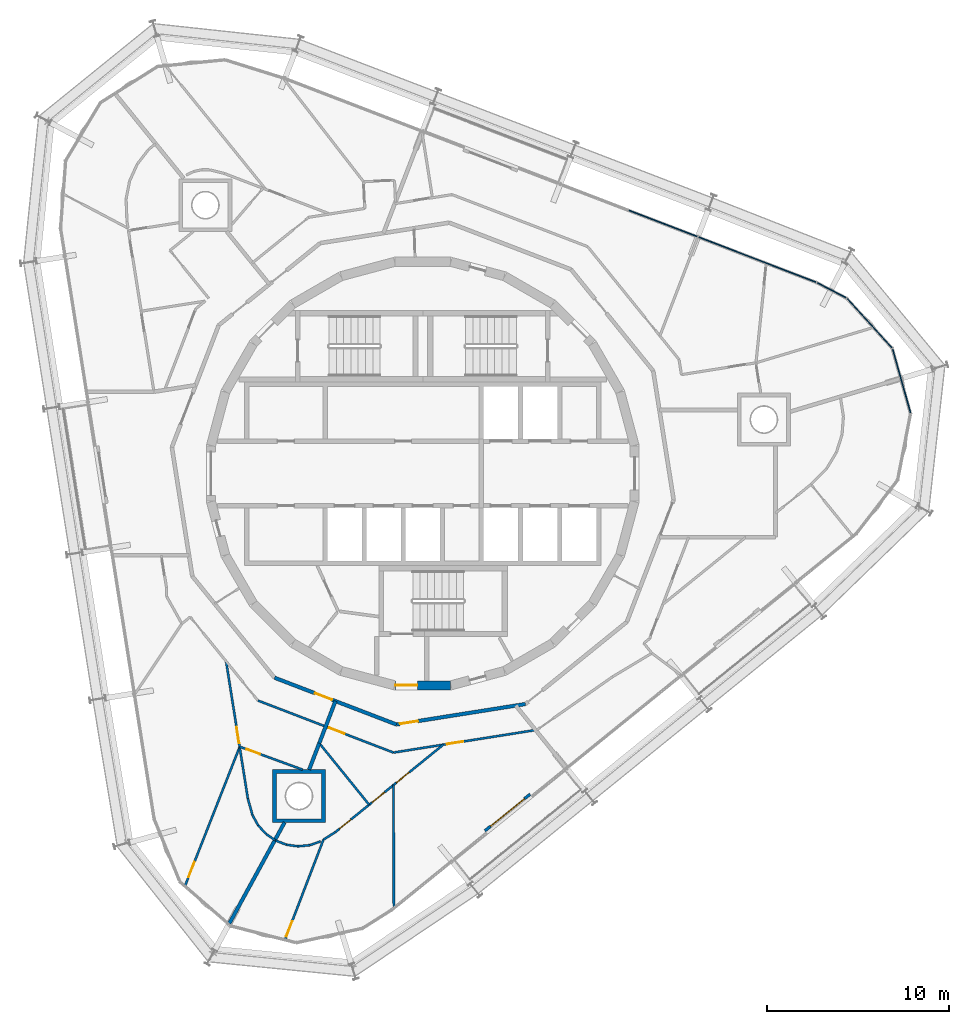
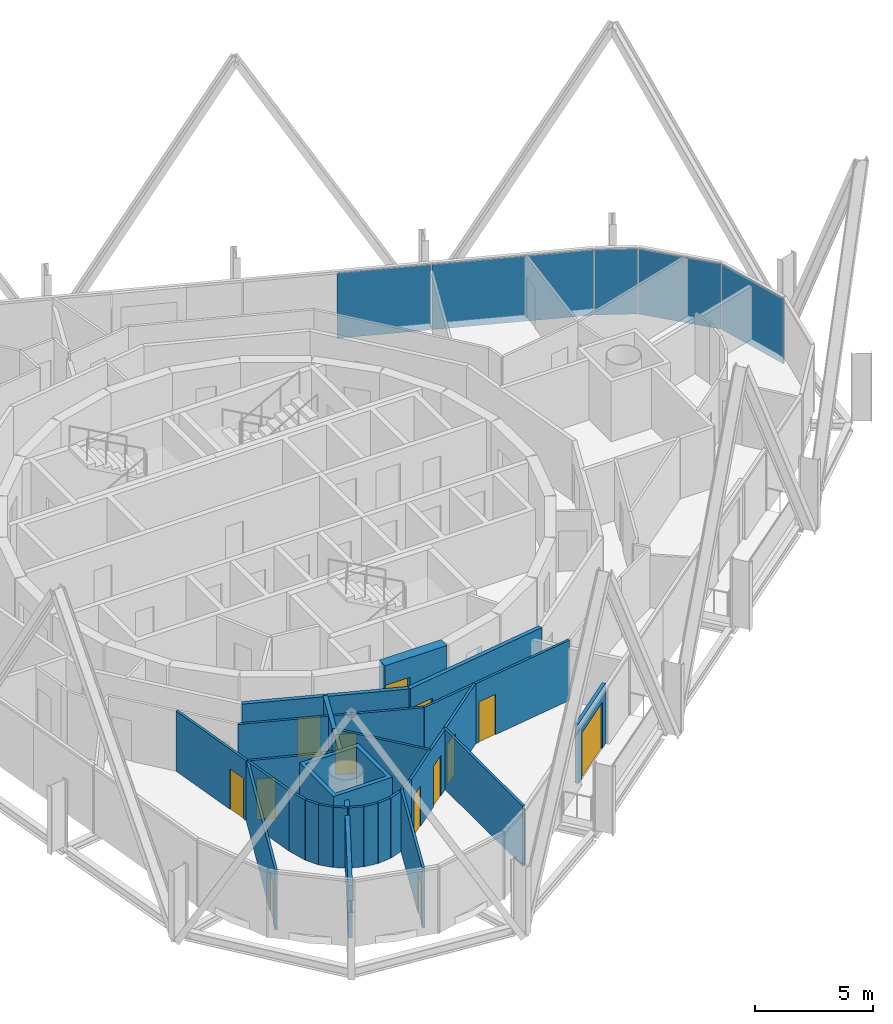
# One storey, part 11 of 18: 26 walls, 13 doors, 5 plates, 13 openings, 2 elements without a shape of their own.
"""IFC4 building model written with IfcOpenShell, lengths in metres."""

from ifc_helpers import new_model, si_unit, direction, frame, frame_2d, origin, origin_2d, place, context, subcontext, project, spatial, polyline, rectangle, outline, extrude, material, layer, layer_set, type_object, element, fill, aggregate, save


model = new_model("IFC4")

# Units and contexts
model_context = context("Model", 3, precision=1e-05, world=origin(), true_north=direction((0.0, 1.0)))
body_context = subcontext(model_context, "Body", "Model", "MODEL_VIEW")
ifc_project = project(units=[si_unit("LENGTHUNIT", "METRE"), si_unit("AREAUNIT", "SQUARE_METRE"), si_unit("VOLUMEUNIT", "CUBIC_METRE"), si_unit("PLANEANGLEUNIT", "RADIAN"), si_unit("MASSUNIT", "GRAM", prefix="KILO")], contexts=[model_context])

# Site, building, storey
site_placement = place(None, origin())
site = spatial("IfcSite", under=ifc_project, at=site_placement, CompositionType="ELEMENT")
building_placement = place(site_placement, origin())
building = spatial("IfcBuilding", under=site, at=building_placement, Name="Spindle Arch Residences", CompositionType="ELEMENT")
storey_placement = place(building_placement, frame((0.0, 0.0, 277.39990234375)))
storey = spatial("IfcBuildingStorey", under=building, at=storey_placement, Name="L71", CompositionType="ELEMENT", Elevation=277.39990234375)

# Curtain wall, plates
ifc_material_1 = material(Name="Aluminium bronze unitised frame with tinted glass", Category="aluminium")
ifc_layer_1 = layer(ifc_material_1, 0.159912109375)
ifc_layer_set_1 = layer_set([ifc_layer_1], Name="CW-D corner wall on the fillet arcs")
curtain_wall_type_1 = type_object("IfcCurtainWallType", Name="CW-D corner wall on the fillet arcs", PredefinedType="NOTDEFINED", material=ifc_layer_set_1)
curtain_wall_1_placement = place(storey_placement, origin())
curtain_wall_1 = element("IfcCurtainWall", 1, at=curtain_wall_1_placement, inside=storey, type_object=curtain_wall_type_1, Name="CW-D L71 run 1", PredefinedType="NOTDEFINED")
ifc_material_2 = material(Name="Tinted double glazing over aluminium faced non-combustible spandrel zone (K0)", Category="aluminium")
ifc_layer_2 = layer(ifc_material_2, 0.06005859375)
ifc_layer_set_2 = layer_set([ifc_layer_2], Name="Unitised glass panel with E 60 spandrel zone")
plate_type = type_object("IfcPlateType", Name="Unitised glass panel with E 60 spandrel zone", PredefinedType="CURTAIN_PANEL", material=ifc_layer_set_2)
plate_1_placement = place(storey_placement, frame((26.32958984375, 5.09423828125, -0.3798828125), z_axis=(0.0, 0.0, 1.0), x_axis=(-0.270040328007, 0.962849012696, 0.0)))
plate_1 = element("IfcPlate", 2, at=plate_1_placement, type_object=plate_type, Name="CW-D unit 03", PredefinedType="CURTAIN_PANEL", context=body_context, shape_type="SweptSolid", body=[
    extrude(rectangle(XDim=3.666748046875, YDim=0.06005859375, at=origin_2d()), origin(), (0.0, 0.0, 1.0), 3.3798828125),
])
plate_2_placement = place(storey_placement, frame((24.571533203125, 8.265869140625, -0.3798828125), z_axis=(0.0, 0.0, 1.0), x_axis=(-0.673442702134, 0.73923942464, 0.0)))
plate_2 = element("IfcPlate", 3, at=plate_2_placement, type_object=plate_type, Name="CW-D unit 04", PredefinedType="CURTAIN_PANEL", context=body_context, shape_type="SweptSolid", body=[
    extrude(rectangle(XDim=3.666748046875, YDim=0.06005859375, at=origin_2d()), origin(), (0.0, 0.0, 1.0), 3.3798828125),
])
plate_3_placement = place(storey_placement, frame((22.48583984375, 10.078857421875, -0.3798828125), z_axis=(0.0, 0.0, 1.0), x_axis=(-0.885663912754, 0.464326860783, 0.0)))
plate_3 = element("IfcPlate", 4, at=plate_3_placement, type_object=plate_type, Name="CW-D unit 05", PredefinedType="CURTAIN_PANEL", context=body_context, shape_type="SweptSolid", body=[
    extrude(rectangle(XDim=1.816162109375, YDim=0.06005859375, at=origin_2d()), origin(), (0.0, 0.0, 1.0), 3.3798828125),
])
plate_4_placement = place(storey_placement, frame((18.392333984375, 11.76708984375, -0.3798828125), z_axis=(0.0, 0.0, 1.0), x_axis=(-0.933580426497, 0.358367949545, 0.0)))
plate_4 = element("IfcPlate", 5, at=plate_4_placement, type_object=plate_type, Name="CW-D unit 06", PredefinedType="CURTAIN_PANEL", context=body_context, shape_type="SweptSolid", body=[
    extrude(rectangle(XDim=6.9296875, YDim=0.06005859375, at=origin_2d()), origin(), (0.0, 0.0, 1.0), 3.3798828125),
])
aggregate(curtain_wall_1, [plate_1, plate_2, plate_3, plate_4])

# Curtain wall, plate
ifc_material_3 = material(Name="Aluminium bronze unitised frame with tinted glass", Category="aluminium")
ifc_layer_3 = layer(ifc_material_3, 0.159912109375)
ifc_layer_set_3 = layer_set([ifc_layer_3], Name="CW-C typical residential unitised wall")
curtain_wall_type_2 = type_object("IfcCurtainWallType", Name="CW-C typical residential unitised wall", PredefinedType="NOTDEFINED", material=ifc_layer_set_3)
curtain_wall_2_placement = place(storey_placement, origin())
curtain_wall_2 = element("IfcCurtainWall", 6, at=curtain_wall_2_placement, inside=storey, type_object=curtain_wall_type_2, Name="CW-C L71 run 2", PredefinedType="NOTDEFINED")
plate_5_placement = place(storey_placement, frame((13.22314453125, 13.751220703125, -0.3798828125), z_axis=(0.0, 0.0, 1.0), x_axis=(-0.933580426497, 0.358367949545, 0.0)))
plate_5 = element("IfcPlate", 7, at=plate_5_placement, type_object=plate_type, Name="CW-C unit 05A", PredefinedType="CURTAIN_PANEL", context=body_context, shape_type="SweptSolid", body=[
    extrude(rectangle(XDim=4.023681640625, YDim=0.06005859375, at=origin_2d()), origin(), (0.0, 0.0, 1.0), 3.3798828125),
])
aggregate(curtain_wall_2, [plate_5])

# Wall, opening, door
ifc_material_4 = material(Name="Concrete C50/60", Category="concrete")
ifc_layer_4 = layer(ifc_material_4, 0.5)
ifc_layer_set_4 = layer_set([ifc_layer_4], Name="Core outline wall 500")
wall_type_1 = type_object("IfcWallType", Name="Core outline wall 500", PredefinedType="SHEAR", material=ifc_layer_set_4)
wall_1_placement = place(storey_placement, frame((-1.516357421875, -11.647216796875, 0.0), z_axis=(0.0, 0.0, 1.0), x_axis=(1.0, 0.0, 0.0)))
wall_1 = element("IfcWall", 8, at=wall_1_placement, inside=storey, type_object=wall_type_1, Name="Core outline wall 24", PredefinedType="SHEAR", context=body_context, shape_type="SweptSolid", body=[
    extrude(rectangle(XDim=3.03271484375, YDim=0.5, at=frame_2d((1.516357421875, 0.0))), origin(), (0.0, 0.0, 1.0), 3.1201171875),
])
opening_1_placement = place(wall_1_placement, frame((0.016357421875, 0.0, 0.0)))
opening_1 = element("IfcOpeningElement", 9, at=opening_1_placement, cuts=wall_1, Name="Opening R7B0-AD03", PredefinedType="OPENING", context=body_context, shape_type="SweptSolid", body=[
    extrude(rectangle(XDim=1.199951171875, YDim=2.10009765625, at=frame_2d((0.60009765625, 1.050048828125))), frame((0.0, 0.260009765625, 0.0), z_axis=(0.0, -1.0, 0.0), x_axis=(1.0, 0.0, 0.0)), (0.0, 0.0, 1.0), 0.52001953125),
])
ifc_material_5 = material(Name="Steel, fire-resisting door", Category="steel")
door_type_1 = type_object("IfcDoorType", Name="Stair airlock door 1200x2100", OperationType="SINGLE_SWING_LEFT", PredefinedType="DOOR", material=ifc_material_5)
door_1_placement = place(opening_1_placement, origin())
door_1 = element("IfcDoor", 10, at=door_1_placement, inside=storey, type_object=door_type_1, Name="Stair airlock door R7B0-AD03", OperationType="SINGLE_SWING_RIGHT", OverallHeight=2.10009765625, OverallWidth=1.199951171875, PredefinedType="DOOR", context=body_context, shape_type="SweptSolid", body=[
    extrude(rectangle(XDim=1.199951171875, YDim=2.10009765625, at=frame_2d((0.60009765625, 1.050048828125))), frame((0.0, 0.02490234375, 0.0), z_axis=(0.0, -1.0, 0.0), x_axis=(1.0, 0.0, 0.0)), (0.0, 0.0, 1.0), 0.050048828125),
])
fill(opening_1, door_1)

ifc_material_6 = material(Name="Calcium silicate block, plastered")
ifc_layer_5 = layer(ifc_material_6, 0.199951171875)
ifc_layer_set_5 = layer_set([ifc_layer_5], Name="Corridor wall 200")
wall_type_2 = type_object("IfcWallType", Name="Corridor wall 200", PredefinedType="STANDARD", material=ifc_layer_set_5)
wall_2_placement = place(storey_placement, frame((-8.154296875, -11.223388671875, 0.0), z_axis=(0.0, 0.0, 1.0), x_axis=(0.93359073609, -0.358341090983, 0.0)))
wall_2 = element("IfcWall", 11, at=wall_2_placement, inside=storey, type_object=wall_type_2, Name="Corridor wall R7B0-W013", PredefinedType="STANDARD", context=body_context, shape_type="SweptSolid", body=[
    extrude(rectangle(XDim=7.180908203125, YDim=0.199951171875, at=frame_2d((3.59033203125, 0.0))), origin(), (0.0, 0.0, 1.0), 3.1201171875),
])
opening_2_placement = place(wall_2_placement, frame((2.390380859375, 0.0, 0.0)))
opening_2 = element("IfcOpeningElement", 12, at=opening_2_placement, cuts=wall_2, Name="Opening R7B0-FD04", PredefinedType="OPENING", context=body_context, shape_type="SweptSolid", body=[
    extrude(rectangle(XDim=1.0, YDim=2.10009765625, at=frame_2d((0.5, 1.050048828125))), frame((0.0, 0.10986328125, 0.0), z_axis=(0.0, -1.0, 0.0), x_axis=(1.0, 0.0, 0.0)), (0.0, 0.0, 1.0), 0.219970703125),
])
ifc_material_7 = material(Name="Timber, fire-resisting door set", Category="wood")
door_type_2 = type_object("IfcDoorType", Name="Flat entrance door 1000x2100", OperationType="NOTDEFINED", PredefinedType="DOOR", material=ifc_material_7)
door_2_placement = place(opening_2_placement, origin())
door_2 = element("IfcDoor", 13, at=door_2_placement, inside=storey, type_object=door_type_2, Name="Flat entrance door R7B0-FD04", OperationType="SINGLE_SWING_RIGHT", OverallHeight=2.10009765625, OverallWidth=1.0, PredefinedType="DOOR", context=body_context, shape_type="SweptSolid", body=[
    extrude(rectangle(XDim=1.0, YDim=2.10009765625, at=frame_2d((0.5, 1.050048828125))), frame((0.0, 0.02490234375, 0.0), z_axis=(0.0, -1.0, 0.0), x_axis=(1.0, 0.0, 0.0)), (0.0, 0.0, 1.0), 0.050048828125),
])
fill(opening_2, door_2)

wall_3_placement = place(storey_placement, frame((-1.4501953125, -13.796630859375, 0.0), z_axis=(0.0, 0.0, 1.0), x_axis=(0.987690361611, 0.156421704315, 0.0)))
wall_3 = element("IfcWall", 14, at=wall_3_placement, inside=storey, type_object=wall_type_2, Name="Corridor wall R7B0-W014", PredefinedType="STANDARD", context=body_context, shape_type="SweptSolid", body=[
    extrude(rectangle(XDim=7.18115234375, YDim=0.199951171875, at=frame_2d((3.590576171875, 0.0))), origin(), (0.0, 0.0, 1.0), 3.1201171875),
])
opening_3_placement = place(wall_3_placement, frame((0.199951171875, 0.0, 0.0)))
opening_3 = element("IfcOpeningElement", 15, at=opening_3_placement, cuts=wall_3, Name="Opening R7B0-FD05", PredefinedType="OPENING", context=body_context, shape_type="SweptSolid", body=[
    extrude(rectangle(XDim=1.0, YDim=2.10009765625, at=frame_2d((0.5, 1.050048828125))), frame((0.0, 0.10986328125, 0.0), z_axis=(0.0, -1.0, 0.0), x_axis=(1.0, 0.0, 0.0)), (0.0, 0.0, 1.0), 0.219970703125),
])
door_3_placement = place(opening_3_placement, origin())
door_3 = element("IfcDoor", 16, at=door_3_placement, inside=storey, type_object=door_type_2, Name="Flat entrance door R7B0-FD05", OperationType="SINGLE_SWING_LEFT", OverallHeight=2.10009765625, OverallWidth=1.0, PredefinedType="DOOR", context=body_context, shape_type="SweptSolid", body=[
    extrude(rectangle(XDim=1.0, YDim=2.10009765625, at=frame_2d((0.5, 1.050048828125))), frame((0.0, 0.02490234375, 0.0), z_axis=(0.0, -1.0, 0.0), x_axis=(1.0, 0.0, 0.0)), (0.0, 0.0, 1.0), 0.050048828125),
])
fill(opening_3, door_3)

ifc_material_8 = material(Name="Plasterboard on steel studs", Category="steel")
ifc_layer_6 = layer(ifc_material_8, 0.1201171875)
ifc_layer_set_6 = layer_set([ifc_layer_6], Name="Flat partition 120")
wall_type_3 = type_object("IfcWallType", Name="Flat partition 120", PredefinedType="PARTITIONING", material=ifc_layer_set_6)
wall_4_placement = place(storey_placement, frame((-9.06689453125, -12.4794921875, 0.0), z_axis=(0.0, 0.0, 1.0), x_axis=(0.933579449035, -0.358370495911, 0.0)))
wall_4 = element("IfcWall", 17, at=wall_4_placement, inside=storey, type_object=wall_type_3, Name="Flat partition R7B0-W073", PredefinedType="PARTITIONING", context=body_context, shape_type="SweptSolid", body=[
    extrude(rectangle(XDim=7.98486328125, YDim=0.1201171875, at=frame_2d((3.992431640625, 0.0))), origin(), (0.0, 0.0, 1.0), 3.1201171875),
])
opening_4_placement = place(wall_4_placement, frame((4.1923828125, 0.0, 0.0)))
opening_4 = element("IfcOpeningElement", 18, at=opening_4_placement, cuts=wall_4, Name="Opening R7B0-ID20", PredefinedType="OPENING", context=body_context, shape_type="SweptSolid", body=[
    extrude(rectangle(XDim=0.89990234375, YDim=2.10009765625, at=frame_2d((0.449951171875, 1.050048828125))), frame((0.0, 0.070068359375, 0.0), z_axis=(0.0, -1.0, 0.0), x_axis=(1.0, 0.0, 0.0)), (0.0, 0.0, 1.0), 0.14013671875),
])
ifc_material_9 = material(Name="Timber door set", Category="wood")
door_type_3 = type_object("IfcDoorType", Name="Room door 900x2100", OperationType="NOTDEFINED", PredefinedType="DOOR", material=ifc_material_9)
door_4_placement = place(opening_4_placement, origin())
door_4 = element("IfcDoor", 19, at=door_4_placement, inside=storey, type_object=door_type_3, Name="Room door R7B0-ID20", OperationType="SINGLE_SWING_RIGHT", OverallHeight=2.10009765625, OverallWidth=0.89990234375, PredefinedType="DOOR", context=body_context, shape_type="SweptSolid", body=[
    extrude(rectangle(XDim=0.89990234375, YDim=2.10009765625, at=frame_2d((0.449951171875, 1.050048828125))), frame((0.0, 0.02490234375, 0.0), z_axis=(0.0, -1.0, 0.0), x_axis=(1.0, 0.0, 0.0)), (0.0, 0.0, 1.0), 0.050048828125),
])
fill(opening_4, door_4)

wall_5_placement = place(storey_placement, frame((-9.619384765625, -17.87060546875, 0.0), z_axis=(0.0, 0.0, 1.0), x_axis=(-0.156433255633, 0.987688532146, 0.0)))
wall_5 = element("IfcWall", 20, at=wall_5_placement, inside=storey, type_object=wall_type_3, Name="Flat partition R7B0-W075", PredefinedType="PARTITIONING", context=body_context, shape_type="SweptSolid", body=[
    extrude(rectangle(XDim=7.64404296875, YDim=0.1201171875, at=frame_2d((3.822021484375, 0.0))), origin(), (0.0, 0.0, 1.0), 3.1201171875),
])
opening_5_placement = place(wall_5_placement, frame((3.08740234375, 0.0, 0.0)))
opening_5 = element("IfcOpeningElement", 21, at=opening_5_placement, cuts=wall_5, Name="Opening R7B0-ID19", PredefinedType="OPENING", context=body_context, shape_type="SweptSolid", body=[
    extrude(rectangle(XDim=0.89990234375, YDim=2.10009765625, at=frame_2d((0.449951171875, 1.050048828125))), frame((0.0, 0.070068359375, 0.0), z_axis=(0.0, -1.0, 0.0), x_axis=(1.0, 0.0, 0.0)), (0.0, 0.0, 1.0), 0.14013671875),
])
door_5_placement = place(opening_5_placement, origin())
door_5 = element("IfcDoor", 22, at=door_5_placement, inside=storey, type_object=door_type_3, Name="Room door R7B0-ID19", OperationType="SINGLE_SWING_LEFT", OverallHeight=2.10009765625, OverallWidth=0.89990234375, PredefinedType="DOOR", context=body_context, shape_type="SweptSolid", body=[
    extrude(rectangle(XDim=0.89990234375, YDim=2.10009765625, at=frame_2d((0.449951171875, 1.050048828125))), frame((0.0, 0.02490234375, 0.0), z_axis=(0.0, -1.0, 0.0), x_axis=(1.0, 0.0, 0.0)), (0.0, 0.0, 1.0), 0.050048828125),
])
fill(opening_5, door_5)

wall_6_placement = place(storey_placement, frame((-13.0673828125, -22.658203125, 0.0), z_axis=(0.0, 0.0, 1.0), x_axis=(0.365785999331, 0.930698986082, 0.0)))
wall_6 = element("IfcWall", 23, at=wall_6_placement, inside=storey, type_object=wall_type_3, Name="Flat partition R7B0-W076", PredefinedType="PARTITIONING", context=body_context, shape_type="SweptSolid", body=[
    extrude(rectangle(XDim=8.1962890625, YDim=0.1201171875, at=frame_2d((4.09814453125, 0.0))), origin(), (0.0, 0.0, 1.0), 3.1201171875),
])
opening_6_placement = place(wall_6_placement, frame((0.5, 0.0, 0.0)))
opening_6 = element("IfcOpeningElement", 24, at=opening_6_placement, cuts=wall_6, Name="Opening R7B0-ID18", PredefinedType="OPENING", context=body_context, shape_type="SweptSolid", body=[
    extrude(rectangle(XDim=0.89990234375, YDim=2.10009765625, at=frame_2d((0.449951171875, 1.050048828125))), frame((0.0, 0.070068359375, 0.0), z_axis=(0.0, -1.0, 0.0), x_axis=(1.0, 0.0, 0.0)), (0.0, 0.0, 1.0), 0.14013671875),
])
door_6_placement = place(opening_6_placement, origin())
door_6 = element("IfcDoor", 25, at=door_6_placement, inside=storey, type_object=door_type_3, Name="Room door R7B0-ID18", OperationType="SINGLE_SWING_RIGHT", OverallHeight=2.10009765625, OverallWidth=0.89990234375, PredefinedType="DOOR", context=body_context, shape_type="SweptSolid", body=[
    extrude(rectangle(XDim=0.89990234375, YDim=2.10009765625, at=frame_2d((0.449951171875, 1.050048828125))), frame((0.0, 0.02490234375, 0.0), z_axis=(0.0, -1.0, 0.0), x_axis=(1.0, 0.0, 0.0)), (0.0, 0.0, 1.0), 0.050048828125),
])
fill(opening_6, door_6)

wall_7_placement = place(storey_placement, frame((-10.0712890625, -15.018798828125, 0.0), z_axis=(0.0, 0.0, 1.0), x_axis=(0.939648507355, -0.34214131967, 0.0)))
wall_7 = element("IfcWall", 26, at=wall_7_placement, inside=storey, type_object=wall_type_3, Name="Flat partition R7B0-W077", PredefinedType="PARTITIONING", context=body_context, shape_type="SweptSolid", body=[
    extrude(rectangle(XDim=3.691162109375, YDim=0.1201171875, at=frame_2d((1.845703125, 0.0))), origin(), (0.0, 0.0, 1.0), 3.1201171875),
])
opening_7_placement = place(wall_7_placement, frame((0.39990234375, 0.0, 0.0)))
opening_7 = element("IfcOpeningElement", 27, at=opening_7_placement, cuts=wall_7, Name="Opening R7B0-BD04", PredefinedType="OPENING", context=body_context, shape_type="SweptSolid", body=[
    extrude(rectangle(XDim=0.800048828125, YDim=2.10009765625, at=frame_2d((0.39990234375, 1.050048828125))), frame((0.0, 0.070068359375, 0.0), z_axis=(0.0, -1.0, 0.0), x_axis=(1.0, 0.0, 0.0)), (0.0, 0.0, 1.0), 0.14013671875),
])
ifc_material_10 = material(Name="Timber door set", Category="wood")
door_type_4 = type_object("IfcDoorType", Name="Bathroom door 800x2100", OperationType="NOTDEFINED", PredefinedType="DOOR", material=ifc_material_10)
door_7_placement = place(opening_7_placement, origin())
door_7 = element("IfcDoor", 28, at=door_7_placement, inside=storey, type_object=door_type_4, Name="Bathroom door R7B0-BD04", OperationType="SINGLE_SWING_RIGHT", OverallHeight=2.10009765625, OverallWidth=0.800048828125, PredefinedType="DOOR", context=body_context, shape_type="SweptSolid", body=[
    extrude(rectangle(XDim=0.800048828125, YDim=2.10009765625, at=frame_2d((0.39990234375, 1.050048828125))), frame((0.0, 0.02490234375, 0.0), z_axis=(0.0, -1.0, 0.0), x_axis=(1.0, 0.0, 0.0)), (0.0, 0.0, 1.0), 0.050048828125),
])
fill(opening_7, door_7)

# Walls
wall_8_placement = place(storey_placement, frame((-8.13037109375, -20.15283203125, 0.0), z_axis=(0.0, 0.0, 1.0), x_axis=(-0.825599905246, 0.564255967145, 0.0)))
element("IfcWall", 29, at=wall_8_placement, inside=storey, type_object=wall_type_3, Name="Flat partition R7B0-W078", PredefinedType="PARTITIONING", context=body_context, shape_type="SweptSolid", body=[
    extrude(rectangle(XDim=0.59326171875, YDim=0.1201171875, at=frame_2d((0.296630859375, 0.0))), origin(), (0.0, 0.0, 1.0), 3.1201171875),
])
for number, where, z_axis, x_axis, name in (
    (30, (-8.6201171875, -19.818115234375, 0.0), (0.0, 0.0, 1.0), (-0.673448438961, 0.739234198385, 0.0), "Flat partition R7B0-W079"),
    (31, (-9.052490234375, -19.343505859375, 0.0), (0.0, 0.0, 1.0), (-0.485126357712, 0.874444061706, 0.0), "Flat partition R7B0-W080"),
):
    element("IfcWall", number, at=place(storey_placement, frame(where, z_axis=z_axis, x_axis=x_axis)), inside=storey, type_object=wall_type_3, Name=name, PredefinedType="PARTITIONING", context=body_context, shape_type="SweptSolid", body=[
        extrude(rectangle(XDim=0.64208984375, YDim=0.1201171875, at=frame_2d((0.321044921875, 0.0))), origin(), (0.0, 0.0, 1.0), 3.1201171875),
    ])
wall_9_placement = place(storey_placement, frame((-9.364013671875, -18.781982421875, 0.0), z_axis=(0.0, 0.0, 1.0), x_axis=(-0.269811707714, 0.962913102196, 0.0)))
element("IfcWall", 32, at=wall_9_placement, inside=storey, type_object=wall_type_3, Name="Flat partition R7B0-W081", PredefinedType="PARTITIONING", context=body_context, shape_type="SweptSolid", body=[
    extrude(rectangle(XDim=0.946533203125, YDim=0.1201171875, at=frame_2d((0.47314453125, 0.0))), origin(), (0.0, 0.0, 1.0), 3.1201171875),
])

# Wall, opening, door
wall_10_placement = place(storey_placement, frame((-1.6123046875, -15.341064453125, 0.0), z_axis=(0.0, 0.0, 1.0), x_axis=(0.987687560018, 0.15643939333, 0.0)))
wall_10 = element("IfcWall", 33, at=wall_10_placement, inside=storey, type_object=wall_type_3, Name="Flat partition R7B0-W082", PredefinedType="PARTITIONING", context=body_context, shape_type="SweptSolid", body=[
    extrude(rectangle(XDim=7.913818359375, YDim=0.1201171875, at=frame_2d((3.95703125, 0.0))), origin(), (0.0, 0.0, 1.0), 3.1201171875),
])
opening_8_placement = place(wall_10_placement, frame((2.97802734375, 0.0, 0.0)))
opening_8 = element("IfcOpeningElement", 34, at=opening_8_placement, cuts=wall_10, Name="Opening R7B0-ID21", PredefinedType="OPENING", context=body_context, shape_type="SweptSolid", body=[
    extrude(rectangle(XDim=0.89990234375, YDim=2.10009765625, at=frame_2d((0.449951171875, 1.050048828125))), frame((0.0, 0.070068359375, 0.0), z_axis=(0.0, -1.0, 0.0), x_axis=(1.0, 0.0, 0.0)), (0.0, 0.0, 1.0), 0.14013671875),
])
door_8_placement = place(opening_8_placement, origin())
door_8 = element("IfcDoor", 35, at=door_8_placement, inside=storey, type_object=door_type_3, Name="Room door R7B0-ID21", OperationType="SINGLE_SWING_LEFT", OverallHeight=2.10009765625, OverallWidth=0.89990234375, PredefinedType="DOOR", context=body_context, shape_type="SweptSolid", body=[
    extrude(rectangle(XDim=0.89990234375, YDim=2.10009765625, at=frame_2d((0.449951171875, 1.050048828125))), frame((0.0, 0.02490234375, 0.0), z_axis=(0.0, -1.0, 0.0), x_axis=(1.0, 0.0, 0.0)), (0.0, 0.0, 1.0), 0.050048828125),
])
fill(opening_8, door_8)

# Walls
wall_11_placement = place(storey_placement, frame((-5.609130859375, -20.223388671875, 0.0), z_axis=(0.0, 0.0, 1.0), x_axis=(-0.945401267449, -0.325908642882, 0.0)))
element("IfcWall", 36, at=wall_11_placement, inside=storey, type_object=wall_type_3, Name="Flat partition R7B0-W083", PredefinedType="PARTITIONING", context=body_context, shape_type="SweptSolid", body=[
    extrude(rectangle(XDim=0.64208984375, YDim=0.1201171875, at=frame_2d((0.321044921875, 0.0))), origin(), (0.0, 0.0, 1.0), 3.1201171875),
])
for number, where, z_axis, x_axis, name in (
    (37, (-6.216064453125, -20.4326171875, 0.0), (0.0, 0.0, 1.0), (-0.99513463391, -0.098524415207, 0.0), "Flat partition R7B0-W084"),
    (38, (-6.854736328125, -20.495849609375, 0.0), (0.0, 0.0, 1.0), (-0.991101230536, 0.133110295736, 0.0), "Flat partition R7B0-W085"),
    (39, (-7.490966796875, -20.410400390625, 0.0), (0.0, 0.0, 1.0), (-0.933453403881, 0.35869867965, 0.0), "Flat partition R7B0-W086"),
):
    element("IfcWall", number, at=place(storey_placement, frame(where, z_axis=z_axis, x_axis=x_axis)), inside=storey, type_object=wall_type_3, Name=name, PredefinedType="PARTITIONING", context=body_context, shape_type="SweptSolid", body=[
        extrude(rectangle(XDim=0.641845703125, YDim=0.1201171875, at=frame_2d((0.32080078125, 0.0))), origin(), (0.0, 0.0, 1.0), 3.1201171875),
    ])

# Wall, opening, door
wall_12_placement = place(storey_placement, frame((-7.57861328125, -25.6455078125, 0.0), z_axis=(0.0, 0.0, 1.0), x_axis=(0.358336526264, 0.933592488158, 0.0)))
wall_12 = element("IfcWall", 40, at=wall_12_placement, inside=storey, type_object=wall_type_3, Name="Flat partition R7B0-W087", PredefinedType="PARTITIONING", context=body_context, shape_type="SweptSolid", body=[
    extrude(rectangle(XDim=5.90771484375, YDim=0.1201171875, at=frame_2d((2.953857421875, 0.0))), origin(), (0.0, 0.0, 1.0), 3.1201171875),
])
opening_9_placement = place(wall_12_placement, frame((0.199951171875, 0.0, 0.0)))
opening_9 = element("IfcOpeningElement", 41, at=opening_9_placement, cuts=wall_12, Name="Opening R7B0-ID23", PredefinedType="OPENING", context=body_context, shape_type="SweptSolid", body=[
    extrude(rectangle(XDim=0.89990234375, YDim=2.10009765625, at=frame_2d((0.449951171875, 1.050048828125))), frame((0.0, 0.070068359375, 0.0), z_axis=(0.0, -1.0, 0.0), x_axis=(1.0, 0.0, 0.0)), (0.0, 0.0, 1.0), 0.14013671875),
])
door_9_placement = place(opening_9_placement, origin())
door_9 = element("IfcDoor", 42, at=door_9_placement, inside=storey, type_object=door_type_3, Name="Room door R7B0-ID23", OperationType="SINGLE_SWING_LEFT", OverallHeight=2.10009765625, OverallWidth=0.89990234375, PredefinedType="DOOR", context=body_context, shape_type="SweptSolid", body=[
    extrude(rectangle(XDim=0.89990234375, YDim=2.10009765625, at=frame_2d((0.449951171875, 1.050048828125))), frame((0.0, 0.02490234375, 0.0), z_axis=(0.0, -1.0, 0.0), x_axis=(1.0, 0.0, 0.0)), (0.0, 0.0, 1.0), 0.050048828125),
])
fill(opening_9, door_9)

# Wall
wall_13_placement = place(storey_placement, frame((-5.461669921875, -20.130126953125, 0.0), z_axis=(0.0, 0.0, 1.0), x_axis=(0.84494764883, 0.534849016768, 0.0)))
element("IfcWall", 43, at=wall_13_placement, inside=storey, type_object=wall_type_3, Name="Flat partition R7B0-W088", PredefinedType="PARTITIONING", context=body_context, shape_type="SweptSolid", body=[
    extrude(rectangle(XDim=0.7724609375, YDim=0.1201171875, at=frame_2d((0.38623046875, 0.0))), origin(), (0.0, 0.0, 1.0), 3.1201171875),
])

# Wall, openings, doors
wall_14_placement = place(storey_placement, frame((-4.80908203125, -19.717041015625, 0.0), z_axis=(0.0, 0.0, 1.0), x_axis=(0.777140730041, 0.629326851255, 0.0)))
wall_14 = element("IfcWall", 44, at=wall_14_placement, inside=storey, type_object=wall_type_3, Name="Flat partition R7B0-W089", PredefinedType="PARTITIONING", context=body_context, shape_type="SweptSolid", body=[
    extrude(rectangle(XDim=7.64404296875, YDim=0.1201171875, at=frame_2d((3.822021484375, 0.0))), origin(), (0.0, 0.0, 1.0), 3.1201171875),
])
opening_10_placement = place(wall_14_placement, frame((2.594482421875, 0.0, 0.0)))
opening_10 = element("IfcOpeningElement", 45, at=opening_10_placement, cuts=wall_14, Name="Opening R7B0-ID22", PredefinedType="OPENING", context=body_context, shape_type="SweptSolid", body=[
    extrude(rectangle(XDim=0.89990234375, YDim=2.10009765625, at=frame_2d((0.449951171875, 1.050048828125))), frame((0.0, 0.070068359375, 0.0), z_axis=(0.0, -1.0, 0.0), x_axis=(1.0, 0.0, 0.0)), (0.0, 0.0, 1.0), 0.14013671875),
])
opening_11_placement = place(wall_14_placement, frame((0.300048828125, 0.0, 0.0)))
opening_11 = element("IfcOpeningElement", 46, at=opening_11_placement, cuts=wall_14, Name="Opening R7B0-BD05", PredefinedType="OPENING", context=body_context, shape_type="SweptSolid", body=[
    extrude(rectangle(XDim=0.800048828125, YDim=2.10009765625, at=frame_2d((0.39990234375, 1.050048828125))), frame((0.0, 0.070068359375, 0.0), z_axis=(0.0, -1.0, 0.0), x_axis=(1.0, 0.0, 0.0)), (0.0, 0.0, 1.0), 0.14013671875),
])
opening_12_placement = place(wall_14_placement, frame((4.3193359375, 0.0, 0.0)))
opening_12 = element("IfcOpeningElement", 47, at=opening_12_placement, cuts=wall_14, Name="Opening R7B0-ID24", PredefinedType="OPENING", context=body_context, shape_type="SweptSolid", body=[
    extrude(rectangle(XDim=0.89990234375, YDim=2.10009765625, at=frame_2d((0.449951171875, 1.050048828125))), frame((0.0, 0.070068359375, 0.0), z_axis=(0.0, -1.0, 0.0), x_axis=(1.0, 0.0, 0.0)), (0.0, 0.0, 1.0), 0.14013671875),
])
door_10_placement = place(opening_11_placement, origin())
door_10 = element("IfcDoor", 48, at=door_10_placement, inside=storey, type_object=door_type_4, Name="Bathroom door R7B0-BD05", OperationType="SINGLE_SWING_RIGHT", OverallHeight=2.10009765625, OverallWidth=0.800048828125, PredefinedType="DOOR", context=body_context, shape_type="SweptSolid", body=[
    extrude(rectangle(XDim=0.800048828125, YDim=2.10009765625, at=frame_2d((0.39990234375, 1.050048828125))), frame((0.0, 0.02490234375, 0.0), z_axis=(0.0, -1.0, 0.0), x_axis=(1.0, 0.0, 0.0)), (0.0, 0.0, 1.0), 0.050048828125),
])
fill(opening_11, door_10)
door_11_placement = place(opening_10_placement, origin())
door_11 = element("IfcDoor", 49, at=door_11_placement, inside=storey, type_object=door_type_3, Name="Room door R7B0-ID22", OperationType="SINGLE_SWING_LEFT", OverallHeight=2.10009765625, OverallWidth=0.89990234375, PredefinedType="DOOR", context=body_context, shape_type="SweptSolid", body=[
    extrude(rectangle(XDim=0.89990234375, YDim=2.10009765625, at=frame_2d((0.449951171875, 1.050048828125))), frame((0.0, 0.02490234375, 0.0), z_axis=(0.0, -1.0, 0.0), x_axis=(1.0, 0.0, 0.0)), (0.0, 0.0, 1.0), 0.050048828125),
])
fill(opening_10, door_11)
door_12_placement = place(opening_12_placement, origin())
door_12 = element("IfcDoor", 50, at=door_12_placement, inside=storey, type_object=door_type_3, Name="Room door R7B0-ID24", OperationType="SINGLE_SWING_RIGHT", OverallHeight=2.10009765625, OverallWidth=0.89990234375, PredefinedType="DOOR", context=body_context, shape_type="SweptSolid", body=[
    extrude(rectangle(XDim=0.89990234375, YDim=2.10009765625, at=frame_2d((0.449951171875, 1.050048828125))), frame((0.0, 0.02490234375, 0.0), z_axis=(0.0, -1.0, 0.0), x_axis=(1.0, 0.0, 0.0)), (0.0, 0.0, 1.0), 0.050048828125),
])
fill(opening_12, door_12)

# Walls
wall_15_placement = place(storey_placement, frame((-2.9482421875, -18.210205078125, 0.0), z_axis=(0.0, 0.0, 1.0), x_axis=(-0.629330389268, 0.777137864953, 0.0)))
element("IfcWall", 51, at=wall_15_placement, inside=storey, type_object=wall_type_3, Name="Flat partition R7B0-W090", PredefinedType="PARTITIONING", context=body_context, shape_type="SweptSolid", body=[
    extrude(rectangle(XDim=4.357421875, YDim=0.1201171875, at=frame_2d((2.1787109375, 0.0))), origin(), (0.0, 0.0, 1.0), 3.1201171875),
])
wall_16_placement = place(storey_placement, frame((-1.590576171875, -23.802001953125, 0.0), z_axis=(0.0, 0.0, 1.0), x_axis=(-0.002595969315, 0.999996630466, 0.0)))
element("IfcWall", 52, at=wall_16_placement, inside=storey, type_object=wall_type_3, Name="Flat partition R7B0-W091", PredefinedType="PARTITIONING", context=body_context, shape_type="SweptSolid", body=[
    extrude(rectangle(XDim=6.67724609375, YDim=0.1201171875, at=frame_2d((3.338623046875, 0.0))), origin(), (0.0, 0.0, 1.0), 3.1201171875),
])
ifc_material_11 = material(Name="Calcium silicate block, plastered")
ifc_layer_7 = layer(ifc_material_11, 0.199951171875)
ifc_layer_set_7 = layer_set([ifc_layer_7], Name="Flat party wall 200")
wall_type_4 = type_object("IfcWallType", Name="Flat party wall 200", PredefinedType="STANDARD", material=ifc_layer_set_7)
wall_17_placement = place(storey_placement, frame((-5.6904296875, -14.823974609375, 0.0), z_axis=(0.0, 0.0, 1.0), x_axis=(0.358345342952, 0.933589104041, 0.0)))
element("IfcWall", 53, at=wall_17_placement, inside=storey, type_object=wall_type_4, Name="Flat party wall R7B0-W027", PredefinedType="STANDARD", context=body_context, shape_type="SweptSolid", body=[
    extrude(rectangle(XDim=2.478515625, YDim=0.199951171875, at=frame_2d((1.2392578125, 0.0))), origin(), (0.0, 0.0, 1.0), 3.1201171875),
])
wall_18_placement = place(storey_placement, frame((-6.25, -16.28173828125, 0.0), z_axis=(0.0, 0.0, 1.0), x_axis=(0.358360842469, 0.933583154617, 0.0)))
element("IfcWall", 54, at=wall_18_placement, inside=storey, type_object=wall_type_4, Name="Flat party wall R7B0-W028", PredefinedType="STANDARD", context=body_context, shape_type="SweptSolid", body=[
    extrude(rectangle(XDim=1.5615234375, YDim=0.199951171875, at=frame_2d((0.78076171875, 0.0))), origin(), (0.0, 0.0, 1.0), 3.1201171875),
])
ifc_material_12 = material(Name="Calcium silicate block, plastered")
ifc_layer_8 = layer(ifc_material_12, 0.199951171875)
ifc_layer_set_8 = layer_set([ifc_layer_8], Name="Flat party wall 200 under beam 2730")
wall_type_5 = type_object("IfcWallType", Name="Flat party wall 200 under beam 2730", PredefinedType="STANDARD", material=ifc_layer_set_8)
wall_19_placement = place(storey_placement, frame((-10.636962890625, -24.738037109375, 0.0), z_axis=(0.0, 0.0, 1.0), x_axis=(0.479683887596, 0.877441375808, 0.0)))
element("IfcWall", 55, at=wall_19_placement, inside=storey, type_object=wall_type_5, Name="Flat party wall R7B0-W029", PredefinedType="STANDARD", context=body_context, shape_type="SweptSolid", body=[
    extrude(rectangle(XDim=6.33251953125, YDim=0.199951171875, at=frame_2d((3.166259765625, 0.0))), origin(), (0.0, 0.0, 1.0), 2.72998046875),
])

# Wall, opening, door
ifc_material_13 = material(Name="Non-combustible mineral wool insulated aluminium faced external wall (K0)", Category="aluminium")
ifc_layer_9 = layer(ifc_material_13, 0.159912109375)
ifc_layer_set_9 = layer_set([ifc_layer_9], Name="Insulated external wall panel 160")
wall_type_6 = type_object("IfcWallType", Name="Insulated external wall panel 160", PredefinedType="STANDARD", material=ifc_layer_set_9)
wall_20_placement = place(storey_placement, frame((3.41650390625, -19.64453125, 0.0), z_axis=(0.0, 0.0, 1.0), x_axis=(0.777125818, 0.629345265333, 0.0)))
wall_20 = element("IfcWall", 56, at=wall_20_placement, inside=storey, type_object=wall_type_6, Name="External wall L71 bay 19", PredefinedType="STANDARD", context=body_context, shape_type="SweptSolid", body=[
    extrude(rectangle(XDim=3.199951171875, YDim=0.159912109375, at=frame_2d((1.60009765625, 0.0))), origin(), (0.0, 0.0, 1.0), 3.1201171875),
])
opening_13_placement = place(wall_20_placement, frame((0.39990234375, 0.0, 0.0)))
opening_13 = element("IfcOpeningElement", 57, at=opening_13_placement, cuts=wall_20, Name="Opening BD19", PredefinedType="OPENING", context=body_context, shape_type="SweptSolid", body=[
    extrude(rectangle(XDim=2.39990234375, YDim=2.39990234375, at=frame_2d((1.199951171875, 1.199951171875))), frame((0.0, 0.08984375, 0.0), z_axis=(0.0, -1.0, 0.0), x_axis=(1.0, 0.0, 0.0)), (0.0, 0.0, 1.0), 0.179931640625),
])
ifc_material_14 = material(Name="Bronze aluminium frame, tinted double glazing", Category="aluminium")
door_type_5 = type_object("IfcDoorType", Name="Sliding glazed balcony door 2400x2400", OperationType="DOUBLE_DOOR_SLIDING", PredefinedType="DOOR", material=ifc_material_14)
door_13_placement = place(opening_13_placement, origin())
door_13 = element("IfcDoor", 58, at=door_13_placement, inside=storey, type_object=door_type_5, Name="Balcony door BD19", OperationType="DOUBLE_DOOR_SLIDING", OverallHeight=2.39990234375, OverallWidth=2.39990234375, PredefinedType="DOOR", context=body_context, shape_type="SweptSolid", body=[
    extrude(rectangle(XDim=2.39990234375, YDim=2.39990234375, at=frame_2d((1.199951171875, 1.199951171875))), frame((0.0, 0.02490234375, 0.0), z_axis=(0.0, -1.0, 0.0), x_axis=(1.0, 0.0, 0.0)), (0.0, 0.0, 1.0), 0.050048828125),
])
fill(opening_13, door_13)

# Wall
ifc_material_15 = material(Name="Calcium silicate block, plastered")
ifc_layer_10 = layer(ifc_material_15, 0.199951171875)
ifc_layer_set_10 = layer_set([ifc_layer_10], Name="Mega-column casing wall 200")
wall_type_7 = type_object("IfcWallType", Name="Mega-column casing wall 200", PredefinedType="STANDARD", material=ifc_layer_set_10)
wall_21_placement = place(storey_placement, origin())
element("IfcWall", 59, at=wall_21_placement, inside=storey, type_object=wall_type_7, Name="Mega-column casing wall R7B0-WC03", PredefinedType="STANDARD", context=body_context, shape_type="SweptSolid", body=[
    extrude(outline(polyline([(-5.356689453125, -16.28173828125), (-5.356689453125, -19.181640625), (-8.256591796875, -19.181640625), (-8.256591796875, -16.28173828125), (-5.356689453125, -16.28173828125)]), holes=[polyline([(-8.056640625, -18.981689453125), (-5.556640625, -18.981689453125), (-5.556640625, -16.481689453125), (-8.056640625, -16.481689453125), (-8.056640625, -18.981689453125)])]), origin(), (0.0, 0.0, 1.0), 3.1201171875),
])

save(model, "model.ifc")
